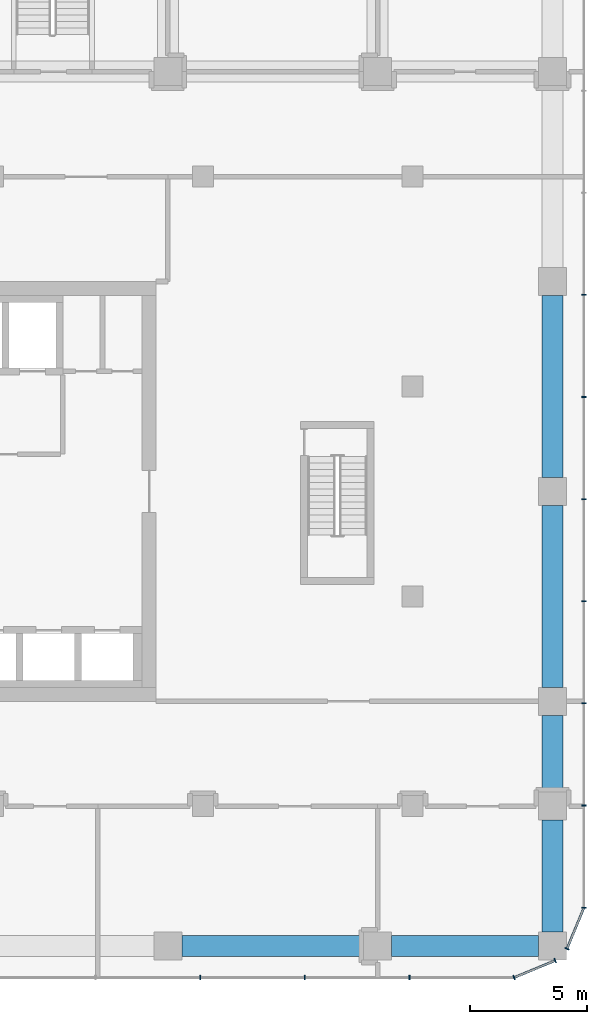
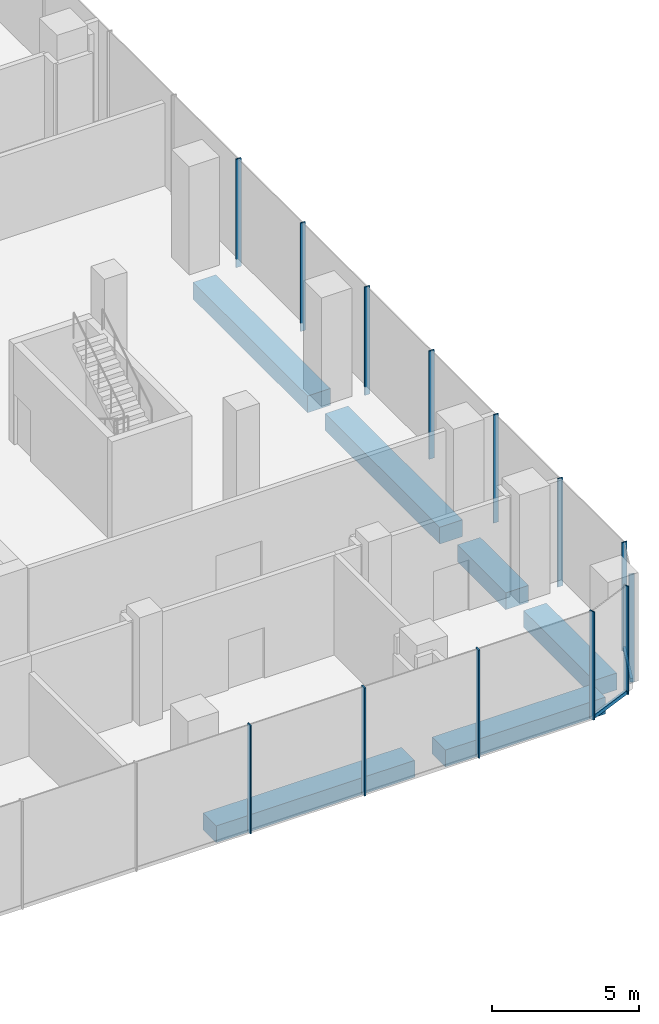
# One storey, part 16 of 43: 15 members, 6 beams, 4 elements without a shape of their own.
"""IFC4 building model written with IfcOpenShell, lengths in metres."""

import ifcopenshell
import ifcopenshell.guid

model = None  # the IFC model being written
_history = None  # IfcOwnerHistory: only IFC2X3 demands one
_inside = {}  # id of a spatial element -> (the spatial element, [elements in it])
_under = {}  # id of a project, library or spatial element -> (it, [spatial elements below it])
_declared = {}  # id of a project -> (the project, [libraries it declares])
_typed = {}  # id of a type object -> (the type object, [elements of that type])
_made_of = {}  # id of a material, layer set ... -> (it, [elements and type objects made of it])


def new_model(schema):
    """Start an empty IFC model of exactly this schema.

    Asked for "IFC4X3", IfcOpenShell would pick the latest addendum, in which some entities
    have other attributes; the version numbers below select the first issue.
    IFC2X3 requires an IfcOwnerHistory on every rooted entity: one is made here for all.
    """
    global model, _history
    if schema == "IFC4X3":
        model = ifcopenshell.file(schema_version=(4, 3, 0, 0))
    else:
        model = ifcopenshell.file(schema=schema)
    _inside.clear()
    _under.clear()
    _declared.clear()
    _typed.clear()
    _made_of.clear()
    _history = None
    if model.schema == "IFC2X3":
        org = make("IfcOrganization", Name="unknown")
        user = make(
            "IfcPersonAndOrganization",
            ThePerson=make("IfcPerson", FamilyName="unknown"),
            TheOrganization=org,
        )
        app = make(
            "IfcApplication",
            ApplicationDeveloper=org,
            Version="unknown",
            ApplicationFullName="unknown",
            ApplicationIdentifier="unknown",
        )
        _history = make(
            "IfcOwnerHistory",
            OwningUser=user,
            OwningApplication=app,
            ChangeAction="ADDED",
            CreationDate=0,
        )
    return model


def make(cls, **values):
    """One entity of the class cls with the attributes given. An attribute that is None is left unset."""
    return model.create_entity(
        cls, **{name: value for name, value in values.items() if value is not None}
    )


def rooted(cls, **values):
    """An entity with a GlobalId (a new one), such as an element, a storey or a relation."""
    return make(cls, GlobalId=ifcopenshell.guid.new(), OwnerHistory=_history, **values)


def si_unit(unit_type, name, prefix=None):
    """IfcSIUnit, for example si_unit("LENGTHUNIT", "METRE", prefix="MILLI")."""
    return make("IfcSIUnit", UnitType=unit_type, Prefix=prefix, Name=name)


def assignment(units):
    """IfcUnitAssignment: the units of a project."""
    return None if units is None else make("IfcUnitAssignment", Units=units)


def point(xyz):
    """IfcCartesianPoint."""
    return None if xyz is None else make("IfcCartesianPoint", Coordinates=xyz)


def direction(xyz):
    """IfcDirection."""
    return None if xyz is None else make("IfcDirection", DirectionRatios=xyz)


def frame(location, z_axis=None, x_axis=None):
    """IfcAxis2Placement3D, a coordinate frame: its origin and axes. An axis left out is left unset."""
    return make(
        "IfcAxis2Placement3D",
        Location=point(location),
        Axis=direction(z_axis),
        RefDirection=direction(x_axis),
    )


def frame_2d(location, x_axis=None):
    """IfcAxis2Placement2D, a coordinate frame in the plane: its origin and x axis."""
    return make(
        "IfcAxis2Placement2D", Location=point(location), RefDirection=direction(x_axis)
    )


def origin():
    """The frame at (0, 0, 0) with its axes left unset."""
    return frame((0.0, 0.0, 0.0))


def origin_2d():
    """The frame at (0, 0) in the plane with its x axis left unset."""
    return frame_2d((0.0, 0.0))


def place(relative_to, where):
    """IfcLocalPlacement: puts the frame where relative to a parent placement (None: the world)."""
    return make(
        "IfcLocalPlacement", PlacementRelTo=relative_to, RelativePlacement=where
    )


def context(
    kind, dimensions, precision=None, world=None, true_north=None, identifier=None
):
    """IfcGeometricRepresentationContext, for example the 3D "Model" context."""
    return make(
        "IfcGeometricRepresentationContext",
        ContextIdentifier=identifier,
        ContextType=kind,
        CoordinateSpaceDimension=dimensions,
        Precision=precision,
        WorldCoordinateSystem=world,
        TrueNorth=true_north,
    )


def subcontext(parent, identifier, kind, view, scale=None):
    """IfcGeometricRepresentationSubContext, for example "Body" below "Model"."""
    return make(
        "IfcGeometricRepresentationSubContext",
        ContextIdentifier=identifier,
        ContextType=kind,
        ParentContext=parent,
        TargetScale=scale,
        TargetView=view,
    )


def project(units=None, contexts=None):
    """IfcProject with its units and contexts."""
    return rooted(
        "IfcProject",
        Name="project",
        RepresentationContexts=contexts,
        UnitsInContext=assignment(units),
    )


def spatial(cls, under=None, at=None, **own):
    """A site, building, storey or space (cls), placed at a placement, below another one or the project."""
    s = rooted(cls, ObjectPlacement=at, **own)
    if under is not None:
        _under.setdefault(under.id(), (under, []))[1].append(s)
    return s


def profile(cls, at=None, kind="AREA", **sizes):
    """A parametric profile (cls). Its sizes go by their IFC names, for example OverallWidth=200.0."""
    return make(cls, ProfileType=kind, Position=at, **sizes)


def rectangle(**sizes):
    """IfcRectangleProfileDef."""
    return profile("IfcRectangleProfileDef", **sizes)


def extrude(swept, where, along, depth):
    """IfcExtrudedAreaSolid: the profile swept, set in the frame where, extruded along a direction by depth."""
    return make(
        "IfcExtrudedAreaSolid",
        SweptArea=swept,
        Position=where,
        ExtrudedDirection=direction(along),
        Depth=depth,
    )


def shape(context_of_items, identifier, shape_type, items):
    """IfcShapeRepresentation: the items that make up one representation, for example the "Body"."""
    return make(
        "IfcShapeRepresentation",
        ContextOfItems=context_of_items,
        RepresentationIdentifier=identifier,
        RepresentationType=shape_type,
        Items=items,
    )


def material(Name=None, Category=None):
    """IfcMaterial."""
    return make("IfcMaterial", Name=Name, Category=Category)


def layer(
    of_material, thickness, ventilated=None, Name=None, Category=None, Priority=None
):
    """IfcMaterialLayer: one layer of a wall or slab, of a material (None: an air gap)."""
    return make(
        "IfcMaterialLayer",
        Material=of_material,
        LayerThickness=thickness,
        IsVentilated=ventilated,
        Name=Name,
        Category=Category,
        Priority=Priority,
    )


def layer_set(layers, Name=None):
    """IfcMaterialLayerSet."""
    return make("IfcMaterialLayerSet", MaterialLayers=layers, LayerSetName=Name)


def material_profile(
    of_material, cross_section, Name=None, Category=None, Priority=None
):
    """IfcMaterialProfile: a cross section and its material."""
    return make(
        "IfcMaterialProfile",
        Name=Name,
        Material=of_material,
        Profile=cross_section,
        Priority=Priority,
        Category=Category,
    )


def profile_set(profiles, Name=None, composite=None):
    """IfcMaterialProfileSet."""
    return make(
        "IfcMaterialProfileSet",
        Name=Name,
        MaterialProfiles=profiles,
        CompositeProfile=composite,
    )


def made_of(thing, what):
    """Note that an element or type object is made of a material, layer set ...; save() writes the relation."""
    if what is not None:
        _made_of.setdefault(what.id(), (what, []))[1].append(thing)
    return thing


def type_object(cls, material=None, **own):
    """A type object (cls), such as IfcWallType, which elements share."""
    return made_of(rooted(cls, **own), material)


def element(
    cls,
    number,
    at=None,
    inside=None,
    cuts=None,
    type_object=None,
    material=None,
    context=None,
    identifier="Body",
    shape_type=None,
    held_by="IfcProductDefinitionShape",
    body=None,
    shapes=None,
    **own,
):
    """One element of the class cls, such as IfcWall. Its Tag is "e" and its number.

    at: its placement. inside: the storey or other place that contains it. cuts: it is an
    opening in that element (IfcRelVoidsElement). A single representation is given by context,
    identifier, shape_type and body (its items); several are given by shapes. held_by: the class
    of the entity that holds the representations. save() writes the other relations.
    """
    e = rooted(cls, Tag="e%d" % number, ObjectPlacement=at, **own)
    if body is not None:
        shapes = [shape(context, identifier, shape_type, body)]
    if shapes is not None:
        e.Representation = make(held_by, Representations=shapes)
    if inside is not None:
        _inside.setdefault(inside.id(), (inside, []))[1].append(e)
    if cuts is not None:
        rooted(
            "IfcRelVoidsElement", RelatingBuildingElement=cuts, RelatedOpeningElement=e
        )
    if type_object is not None:
        _typed.setdefault(type_object.id(), (type_object, []))[1].append(e)
    return made_of(e, material)


def aggregate(whole, parts):
    """IfcRelAggregates: a whole, such as a stair, and the parts it consists of."""
    return rooted("IfcRelAggregates", RelatingObject=whole, RelatedObjects=parts)


def save(model, path):
    """Write the relations noted so far, then the file.

    IfcRelAggregates (storeys below a building ...), IfcRelContainedInSpatialStructure (elements
    in a storey), IfcRelDefinesByType, IfcRelAssociatesMaterial and IfcRelDeclares: one each for
    every whole, place, type object, material and project.
    """
    for whole, parts in _under.values():
        aggregate(whole, parts)
    for where, things in _inside.values():
        rooted(
            "IfcRelContainedInSpatialStructure",
            RelatedElements=things,
            RelatingStructure=where,
        )
    for kind, things in _typed.values():
        rooted("IfcRelDefinesByType", RelatedObjects=things, RelatingType=kind)
    for what, things in _made_of.values():
        rooted("IfcRelAssociatesMaterial", RelatedObjects=things, RelatingMaterial=what)
    for by, libraries in _declared.values():
        rooted("IfcRelDeclares", RelatingContext=by, RelatedDefinitions=libraries)
    model.write(path)


model = new_model("IFC4")

# Units and contexts
model_context = context("Model", 3, precision=1e-05, world=origin(), true_north=direction((0.0, 1.0)))
body_context = subcontext(model_context, "Body", "Model", "MODEL_VIEW")
ifc_project = project(units=[si_unit("LENGTHUNIT", "METRE"), si_unit("AREAUNIT", "SQUARE_METRE"), si_unit("VOLUMEUNIT", "CUBIC_METRE"), si_unit("PLANEANGLEUNIT", "RADIAN"), si_unit("MASSUNIT", "GRAM", prefix="KILO")], contexts=[model_context])

# Site, building, storey
site_placement = place(None, origin())
site = spatial("IfcSite", under=ifc_project, at=site_placement, CompositionType="ELEMENT")
building_placement = place(site_placement, origin())
building = spatial("IfcBuilding", under=site, at=building_placement, Name="Plateau Cross Towers", CompositionType="ELEMENT")
storey_placement = place(building_placement, frame((0.0, 0.0, 12.800048828125)))
storey = spatial("IfcBuildingStorey", under=building, at=storey_placement, Name="L02", CompositionType="ELEMENT", Elevation=12.800048828125)

# Curtain wall, members
ifc_material_1 = material(Name="Dark low-iron laminated glass", Category="glass")
ifc_layer = layer(ifc_material_1, 0.300048828125)
ifc_layer_set = layer_set([ifc_layer], Name="Dark low-iron laminated glass")
curtain_wall_type = type_object("IfcCurtainWallType", Name="Curtain wall structural silicone CW-C", PredefinedType="NOTDEFINED", material=ifc_layer_set)
curtain_wall_1_placement = place(storey_placement, origin())
curtain_wall_1 = element("IfcCurtainWall", 1, at=curtain_wall_1_placement, inside=storey, type_object=curtain_wall_type, Name="ENV/P/L02/P-28_-118", PredefinedType="NOTDEFINED")
ifc_material_2 = material(Name="Black anodised aluminium", Category="aluminium")
ifc_material_profile_1 = material_profile(ifc_material_2, rectangle(XDim=0.050048828125, YDim=0.199951171875, at=origin_2d()), Name="MULLION 50x200")
ifc_profile_set_1 = profile_set([ifc_material_profile_1], Name="Black anodised aluminium")
member_type_1 = type_object("IfcMemberType", Name="Mullion 50x200 structural silicone", PredefinedType="MULLION", material=ifc_profile_set_1)
member_1_placement = place(storey_placement, frame((91.387451171875, -11.85009765625, -0.35009765625), z_axis=(0.0, 0.0, 1.0), x_axis=(1.0, 0.0, 0.0)))
member_1 = element("IfcMember", 2, at=member_1_placement, type_object=member_type_1, Name="CW-C mullion 22", PredefinedType="MULLION", context=body_context, shape_type="SweptSolid", body=[
    extrude(rectangle(XDim=0.050048828125, YDim=0.199951171875, at=origin_2d()), origin(), (0.0, 0.0, 1.0), 4.5),
])
member_2_placement = place(storey_placement, frame((95.875, -11.85009765625, -0.35009765625), z_axis=(0.0, 0.0, 1.0), x_axis=(1.0, 0.0, 0.0)))
member_2 = element("IfcMember", 3, at=member_2_placement, type_object=member_type_1, Name="CW-C mullion 23", PredefinedType="MULLION", context=body_context, shape_type="SweptSolid", body=[
    extrude(rectangle(XDim=0.050048828125, YDim=0.199951171875, at=origin_2d()), origin(), (0.0, 0.0, 1.0), 4.5),
])
member_3_placement = place(storey_placement, frame((100.362548828125, -11.85009765625, -0.35009765625), z_axis=(0.0, 0.0, 1.0), x_axis=(1.0, 0.0, 0.0)))
member_3 = element("IfcMember", 4, at=member_3_placement, type_object=member_type_1, Name="CW-C mullion 24", PredefinedType="MULLION", context=body_context, shape_type="SweptSolid", body=[
    extrude(rectangle(XDim=0.050048828125, YDim=0.199951171875, at=origin_2d()), origin(), (0.0, 0.0, 1.0), 4.5),
])
aggregate(curtain_wall_1, [member_1, member_2, member_3])

curtain_wall_2_placement = place(storey_placement, origin())
curtain_wall_2 = element("IfcCurtainWall", 5, at=curtain_wall_2_placement, inside=storey, type_object=curtain_wall_type, Name="ENV/P/L02/P1048_-118", PredefinedType="NOTDEFINED")
member_4_placement = place(storey_placement, frame((104.85009765625, -11.85009765625, -0.35009765625), z_axis=(0.0, 0.0, 1.0), x_axis=(0.923879457699, 0.382683612978, 0.0)))
member_4 = element("IfcMember", 6, at=member_4_placement, type_object=member_type_1, Name="CW-C mullion 1", PredefinedType="MULLION", context=body_context, shape_type="SweptSolid", body=[
    extrude(rectangle(XDim=0.050048828125, YDim=0.199951171875, at=origin_2d()), origin(), (0.0, 0.0, 1.0), 4.5),
])
member_5_placement = place(storey_placement, frame((106.6123046875, -11.1201171875, -0.35009765625), z_axis=(0.0, 0.0, 1.0), x_axis=(0.923879457699, 0.382683612978, 0.0)))
member_5 = element("IfcMember", 7, at=member_5_placement, type_object=member_type_1, Name="CW-C mullion 2", PredefinedType="MULLION", context=body_context, shape_type="SweptSolid", body=[
    extrude(rectangle(XDim=0.050048828125, YDim=0.199951171875, at=origin_2d()), origin(), (0.0, 0.0, 1.0), 4.5),
])

# Curtain wall, member
curtain_wall_3_placement = place(storey_placement, origin())
curtain_wall_3 = element("IfcCurtainWall", 8, at=curtain_wall_3_placement, inside=storey, type_object=curtain_wall_type, Name="ENV/P/L02/P1071_-106", PredefinedType="NOTDEFINED")
member_6_placement = place(storey_placement, frame((107.1201171875, -10.6123046875, -0.35009765625), z_axis=(0.0, 0.0, 1.0), x_axis=(0.382683612978, 0.923879457699, 0.0)))
member_6 = element("IfcMember", 9, at=member_6_placement, type_object=member_type_1, Name="CW-C mullion 1", PredefinedType="MULLION", context=body_context, shape_type="SweptSolid", body=[
    extrude(rectangle(XDim=0.050048828125, YDim=0.199951171875, at=origin_2d()), origin(), (0.0, 0.0, 1.0), 4.5),
])

# Curtain wall, members
curtain_wall_4_placement = place(storey_placement, origin())
curtain_wall_4 = element("IfcCurtainWall", 10, at=curtain_wall_4_placement, inside=storey, type_object=curtain_wall_type, Name="ENV/P/L02/P1078_-88", PredefinedType="NOTDEFINED")
member_7_placement = place(storey_placement, frame((107.85009765625, -8.85009765625, -0.35009765625), z_axis=(0.0, 0.0, 1.0), x_axis=(0.0, 1.0, 0.0)))
member_7 = element("IfcMember", 11, at=member_7_placement, type_object=member_type_1, Name="CW-C mullion 1", PredefinedType="MULLION", context=body_context, shape_type="SweptSolid", body=[
    extrude(rectangle(XDim=0.050048828125, YDim=0.199951171875, at=origin_2d()), origin(), (0.0, 0.0, 1.0), 4.5),
])
member_8_placement = place(storey_placement, frame((107.85009765625, -4.469970703125, -0.35009765625), z_axis=(0.0, 0.0, 1.0), x_axis=(0.0, 1.0, 0.0)))
member_8 = element("IfcMember", 12, at=member_8_placement, type_object=member_type_1, Name="CW-C mullion 2", PredefinedType="MULLION", context=body_context, shape_type="SweptSolid", body=[
    extrude(rectangle(XDim=0.050048828125, YDim=0.199951171875, at=origin_2d()), origin(), (0.0, 0.0, 1.0), 4.5),
])
member_9_placement = place(storey_placement, frame((107.85009765625, -0.090087890625, -0.35009765625), z_axis=(0.0, 0.0, 1.0), x_axis=(0.0, 1.0, 0.0)))
member_9 = element("IfcMember", 13, at=member_9_placement, type_object=member_type_1, Name="CW-C mullion 3", PredefinedType="MULLION", context=body_context, shape_type="SweptSolid", body=[
    extrude(rectangle(XDim=0.050048828125, YDim=0.199951171875, at=origin_2d()), origin(), (0.0, 0.0, 1.0), 4.5),
])
member_10_placement = place(storey_placement, frame((107.85009765625, 4.2900390625, -0.35009765625), z_axis=(0.0, 0.0, 1.0), x_axis=(0.0, 1.0, 0.0)))
member_10 = element("IfcMember", 14, at=member_10_placement, type_object=member_type_1, Name="CW-C mullion 4", PredefinedType="MULLION", context=body_context, shape_type="SweptSolid", body=[
    extrude(rectangle(XDim=0.050048828125, YDim=0.199951171875, at=origin_2d()), origin(), (0.0, 0.0, 1.0), 4.5),
])
member_11_placement = place(storey_placement, frame((107.85009765625, 8.669921875, -0.35009765625), z_axis=(0.0, 0.0, 1.0), x_axis=(0.0, 1.0, 0.0)))
member_11 = element("IfcMember", 15, at=member_11_placement, type_object=member_type_1, Name="CW-C mullion 5", PredefinedType="MULLION", context=body_context, shape_type="SweptSolid", body=[
    extrude(rectangle(XDim=0.050048828125, YDim=0.199951171875, at=origin_2d()), origin(), (0.0, 0.0, 1.0), 4.5),
])
member_12_placement = place(storey_placement, frame((107.85009765625, 13.050048828125, -0.35009765625), z_axis=(0.0, 0.0, 1.0), x_axis=(0.0, 1.0, 0.0)))
member_12 = element("IfcMember", 16, at=member_12_placement, type_object=member_type_1, Name="CW-C mullion 6", PredefinedType="MULLION", context=body_context, shape_type="SweptSolid", body=[
    extrude(rectangle(XDim=0.050048828125, YDim=0.199951171875, at=origin_2d()), origin(), (0.0, 0.0, 1.0), 4.5),
])
member_13_placement = place(storey_placement, frame((107.85009765625, 17.429931640625, -0.35009765625), z_axis=(0.0, 0.0, 1.0), x_axis=(0.0, 1.0, 0.0)))
member_13 = element("IfcMember", 17, at=member_13_placement, type_object=member_type_1, Name="CW-C mullion 7", PredefinedType="MULLION", context=body_context, shape_type="SweptSolid", body=[
    extrude(rectangle(XDim=0.050048828125, YDim=0.199951171875, at=origin_2d()), origin(), (0.0, 0.0, 1.0), 4.5),
])
aggregate(curtain_wall_4, [member_7, member_8, member_9, member_10, member_11, member_12, member_13])

# Beams
ifc_material_3 = material(Name="Concrete C50/60", Category="concrete")
ifc_material_profile_2 = material_profile(ifc_material_3, rectangle(XDim=0.89990234375, YDim=0.699951171875, at=origin_2d()), Name="RC 900x700")
ifc_profile_set_2 = profile_set([ifc_material_profile_2], Name="Concrete C50/60")
beam_type = type_object("IfcBeamType", Name="Podium band beam RC 900x700", PredefinedType="BEAM", material=ifc_profile_set_2)
beam_1_placement = place(storey_placement, frame((90.60009765625, -10.5, -0.699951171875), z_axis=(1.0, 0.0, 0.0), x_axis=(0.0, 1.0, 0.0)))
element("IfcBeam", 18, at=beam_1_placement, inside=storey, type_object=beam_type, Name="PB12@L02", PredefinedType="BEAM", context=body_context, shape_type="SweptSolid", body=[
    extrude(rectangle(XDim=0.89990234375, YDim=0.699951171875, at=origin_2d()), origin(), (0.0, 0.0, 1.0), 7.7998046875),
])
beam_2_placement = place(storey_placement, frame((99.60009765625, -10.5, -0.699951171875), z_axis=(1.0, 0.0, 0.0), x_axis=(0.0, 1.0, 0.0)))
element("IfcBeam", 19, at=beam_2_placement, inside=storey, type_object=beam_type, Name="PB13@L02", PredefinedType="BEAM", context=body_context, shape_type="SweptSolid", body=[
    extrude(rectangle(XDim=0.89990234375, YDim=0.699951171875, at=origin_2d()), origin(), (0.0, 0.0, 1.0), 6.2998046875),
])
beam_3_placement = place(storey_placement, frame((106.5, -9.89990234375, -0.699951171875), z_axis=(0.0, 1.0, 0.0), x_axis=(-1.0, 0.0, 0.0)))
element("IfcBeam", 20, at=beam_3_placement, inside=storey, type_object=beam_type, Name="PB173@L02", PredefinedType="BEAM", context=body_context, shape_type="SweptSolid", body=[
    extrude(rectangle(XDim=0.89990234375, YDim=0.699951171875, at=origin_2d()), origin(), (0.0, 0.0, 1.0), 4.7998046875),
])
beam_4_placement = place(storey_placement, frame((106.5, -3.89990234375, -0.699951171875), z_axis=(0.0, 1.0, 0.0), x_axis=(-1.0, 0.0, 0.0)))
element("IfcBeam", 21, at=beam_4_placement, inside=storey, type_object=beam_type, Name="PB174@L02", PredefinedType="BEAM", context=body_context, shape_type="SweptSolid", body=[
    extrude(rectangle(XDim=0.89990234375, YDim=0.699951171875, at=origin_2d()), origin(), (0.0, 0.0, 1.0), 3.2998046875),
])
for number, where, z_axis, x_axis, name in (
    (22, (106.5, 0.60009765625, -0.699951171875), (0.0, 1.0, 0.0), (-1.0, 0.0, 0.0), "PB175@L02"),
    (23, (106.5, 9.60009765625, -0.699951171875), (0.0, 1.0, 0.0), (-1.0, 0.0, 0.0), "PB176@L02"),
):
    element("IfcBeam", number, at=place(storey_placement, frame(where, z_axis=z_axis, x_axis=x_axis)), inside=storey, type_object=beam_type, Name=name, PredefinedType="BEAM", context=body_context, shape_type="SweptSolid", body=[
        extrude(rectangle(XDim=0.89990234375, YDim=0.699951171875, at=origin_2d()), origin(), (0.0, 0.0, 1.0), 7.7998046875),
    ])

# Member
ifc_material_profile_3 = material_profile(ifc_material_2, rectangle(XDim=0.10009765625, YDim=0.14990234375, at=origin_2d()), Name="TRANSOM 100x150")
ifc_profile_set_3 = profile_set([ifc_material_profile_3], Name="Black anodised aluminium")
member_type_2 = type_object("IfcMemberType", Name="Transom 100x150 structural silicone", PredefinedType="USERDEFINED", material=ifc_profile_set_3)
member_14_placement = place(storey_placement, frame((104.85009765625, -11.85009765625, -0.275146484375), z_axis=(0.923870187147, 0.38270599329, 0.0), x_axis=(-0.38270599329, 0.923870187147, 0.0)))
member_14 = element("IfcMember", 24, at=member_14_placement, type_object=member_type_2, Name="CW-C transom", ObjectType="TRANSOM", PredefinedType="USERDEFINED", context=body_context, shape_type="SweptSolid", body=[
    extrude(rectangle(XDim=0.10009765625, YDim=0.14990234375, at=origin_2d()), origin(), (0.0, 0.0, 1.0), 1.907470703125),
])

aggregate(curtain_wall_2, [member_4, member_5, member_14])

member_15_placement = place(storey_placement, frame((107.1201171875, -10.6123046875, -0.275146484375), z_axis=(0.38270599329, 0.923870187147, 0.0), x_axis=(-0.923870187147, 0.38270599329, 0.0)))
member_15 = element("IfcMember", 25, at=member_15_placement, type_object=member_type_2, Name="CW-C transom", ObjectType="TRANSOM", PredefinedType="USERDEFINED", context=body_context, shape_type="SweptSolid", body=[
    extrude(rectangle(XDim=0.10009765625, YDim=0.14990234375, at=origin_2d()), origin(), (0.0, 0.0, 1.0), 1.907470703125),
])

aggregate(curtain_wall_3, [member_6, member_15])

save(model, "model.ifc")
